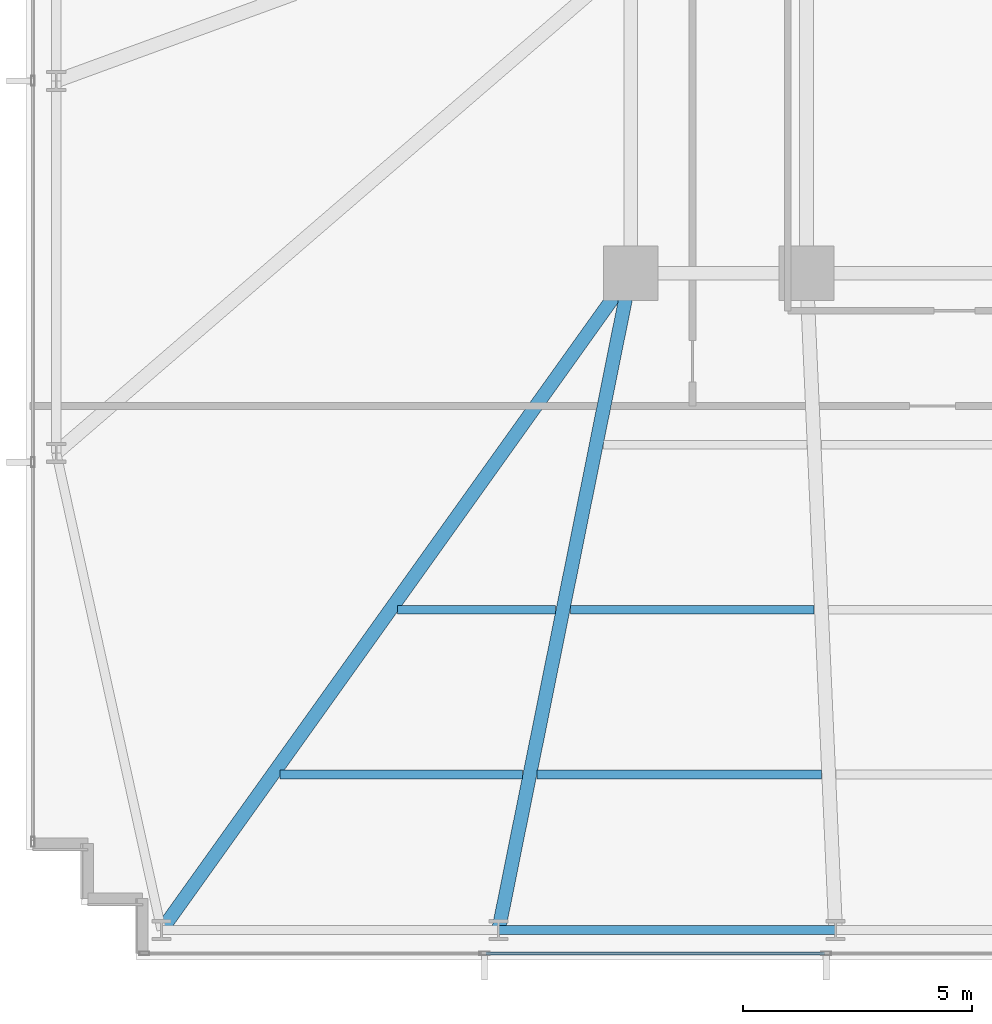
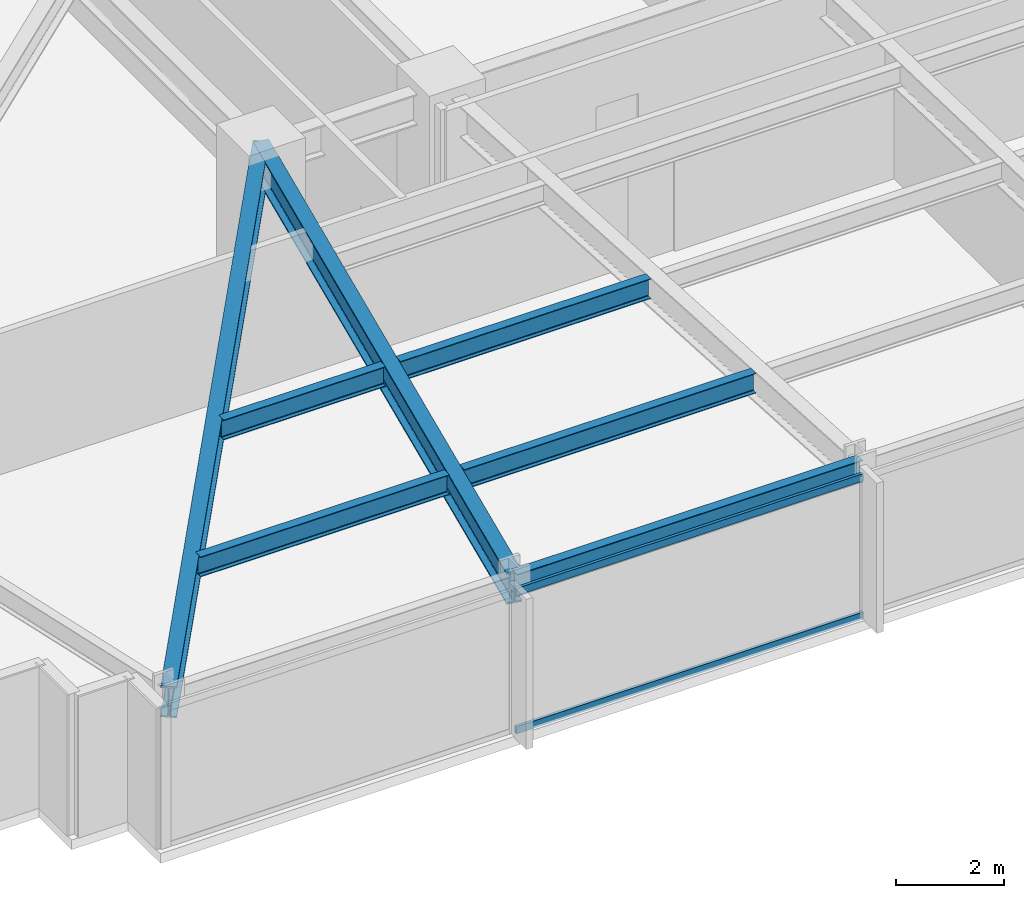
# One storey, part 3 of 32: 7 beams, 2 members, 1 element without a shape of its own.
"""IFC4 building model written with IfcOpenShell, lengths in metres."""

from ifc_helpers import new_model, si_unit, direction, frame, origin, origin_2d, place, context, subcontext, project, spatial, hollow_rectangle, i_section, extrude, material, material_profile, profile_set, type_object, element, aggregate, save


model = new_model("IFC4")

# Units and contexts
model_context = context("Model", 3, precision=1e-05, world=origin(), true_north=direction((0.0, 1.0)))
body_context = subcontext(model_context, "Body", "Model", "MODEL_VIEW")
ifc_project = project(units=[si_unit("LENGTHUNIT", "METRE"), si_unit("AREAUNIT", "SQUARE_METRE"), si_unit("VOLUMEUNIT", "CUBIC_METRE"), si_unit("PLANEANGLEUNIT", "RADIAN"), si_unit("MASSUNIT", "GRAM", prefix="KILO")], contexts=[model_context])

# Site, building, storey
site_placement = place(None, origin())
site = spatial("IfcSite", under=ifc_project, at=site_placement, CompositionType="ELEMENT")
building_placement = place(site_placement, origin())
building = spatial("IfcBuilding", under=site, at=building_placement, Name="Yelkora Congress Tower", CompositionType="ELEMENT")
storey_placement = place(building_placement, frame((0.0, 0.0, 50.800048828125)))
storey = spatial("IfcBuildingStorey", under=building, at=storey_placement, Name="L12", CompositionType="ELEMENT", Elevation=50.800048828125)

# Beams
ifc_material_1 = material(Name="Steel S355J2", Category="steel")
ifc_material_profile_1 = material_profile(ifc_material_1, i_section(OverallWidth=0.300048828125, OverallDepth=0.699951171875, WebThickness=0.01708984375, FlangeThickness=0.031982421875, FilletRadius=0.027099609375, at=origin_2d()), Name="HEB 700")
ifc_profile_set_1 = profile_set([ifc_material_profile_1], Name="Steel S355J2")
beam_type_1 = type_object("IfcBeamType", Name="BM-GIRD-HEB700", PredefinedType="BEAM", material=ifc_profile_set_1)
beam_1_placement = place(storey_placement, frame((8.949951171875, 10.85009765625, 2.829833984375), z_axis=(0.581242122521, 0.813730664906, 0.0), x_axis=(-0.813730664906, 0.581242122521, 0.0)))
element("IfcBeam", 1, at=beam_1_placement, inside=storey, type_object=beam_type_1, Name="L12 Primary Frame Girder S01", PredefinedType="BEAM", context=body_context, shape_type="SweptSolid", body=[
    extrude(i_section(OverallWidth=0.300048828125, OverallDepth=0.699951171875, WebThickness=0.01708984375, FlangeThickness=0.031982421875, FilletRadius=0.027099609375, at=origin_2d()), origin(), (0.0, 0.0, 1.0), 17.634765625),
])
beam_2_placement = place(storey_placement, frame((16.3125, 10.85009765625, 2.829833984375), z_axis=(0.197264295931, 0.980350344291, 0.0), x_axis=(-0.980350344291, 0.197264295931, 0.0)))
element("IfcBeam", 2, at=beam_2_placement, inside=storey, type_object=beam_type_1, Name="L12 Primary Frame Girder S02", PredefinedType="BEAM", context=body_context, shape_type="SweptSolid", body=[
    extrude(i_section(OverallWidth=0.300048828125, OverallDepth=0.699951171875, WebThickness=0.01708984375, FlangeThickness=0.031982421875, FilletRadius=0.027099609375, at=origin_2d()), origin(), (0.0, 0.0, 1.0), 14.637451171875),
])
ifc_material_profile_2 = material_profile(ifc_material_1, i_section(OverallWidth=0.18994140625, OverallDepth=0.449951171875, WebThickness=0.009521484375, FlangeThickness=0.0146484375, FilletRadius=0.02099609375, at=origin_2d()), Name="IPE 450")
ifc_profile_set_2 = profile_set([ifc_material_profile_2], Name="Steel S355J2")
beam_type_2 = type_object("IfcBeamType", Name="BM-JOIST-IPE450", PredefinedType="JOIST", material=ifc_profile_set_2)
beam_3_placement = place(storey_placement, frame((11.53857421875, 14.25, 2.954833984375), z_axis=(1.0, 0.0, 0.0), x_axis=(0.0, 1.0, 0.0)))
element("IfcBeam", 3, at=beam_3_placement, inside=storey, type_object=beam_type_2, Name="L12 Composite Floor Joist 1", PredefinedType="JOIST", context=body_context, shape_type="SweptSolid", body=[
    extrude(i_section(OverallWidth=0.18994140625, OverallDepth=0.449951171875, WebThickness=0.009521484375, FlangeThickness=0.0146484375, FilletRadius=0.02099609375, at=origin_2d()), origin(), (0.0, 0.0, 1.0), 5.298095703125),
])
beam_4_placement = place(storey_placement, frame((17.156494140625, 14.25, 2.954833984375), z_axis=(1.0, 0.0, 0.0), x_axis=(0.0, 1.0, 0.0)))
element("IfcBeam", 4, at=beam_4_placement, inside=storey, type_object=beam_type_2, Name="L12 Composite Floor Joist 2", PredefinedType="JOIST", context=body_context, shape_type="SweptSolid", body=[
    extrude(i_section(OverallWidth=0.18994140625, OverallDepth=0.449951171875, WebThickness=0.009521484375, FlangeThickness=0.0146484375, FilletRadius=0.02099609375, at=origin_2d()), origin(), (0.0, 0.0, 1.0), 6.2080078125),
])
beam_5_placement = place(storey_placement, frame((14.110107421875, 17.85009765625, 2.954833984375), z_axis=(1.0, 0.0, 0.0), x_axis=(0.0, 1.0, 0.0)))
element("IfcBeam", 5, at=beam_5_placement, inside=storey, type_object=beam_type_2, Name="L12 Composite Floor Joist 9", PredefinedType="JOIST", context=body_context, shape_type="SweptSolid", body=[
    extrude(i_section(OverallWidth=0.18994140625, OverallDepth=0.449951171875, WebThickness=0.009521484375, FlangeThickness=0.0146484375, FilletRadius=0.02099609375, at=origin_2d()), origin(), (0.0, 0.0, 1.0), 3.450927734375),
])
beam_6_placement = place(storey_placement, frame((17.881103515625, 17.85009765625, 2.954833984375), z_axis=(1.0, 0.0, 0.0), x_axis=(0.0, 1.0, 0.0)))
element("IfcBeam", 6, at=beam_6_placement, inside=storey, type_object=beam_type_2, Name="L12 Composite Floor Joist 10", PredefinedType="JOIST", context=body_context, shape_type="SweptSolid", body=[
    extrude(i_section(OverallWidth=0.18994140625, OverallDepth=0.449951171875, WebThickness=0.009521484375, FlangeThickness=0.0146484375, FilletRadius=0.02099609375, at=origin_2d()), origin(), (0.0, 0.0, 1.0), 5.323974609375),
])
ifc_material_profile_3 = material_profile(ifc_material_1, i_section(OverallWidth=0.199951171875, OverallDepth=0.5, WebThickness=0.01025390625, FlangeThickness=0.01611328125, FilletRadius=0.02099609375, at=origin_2d()), Name="IPE 500")
ifc_profile_set_3 = profile_set([ifc_material_profile_3], Name="Steel S355J2")
beam_type_3 = type_object("IfcBeamType", Name="BM-SPAN-IPE500", PredefinedType="SPANDREL", material=ifc_profile_set_3)
beam_7_placement = place(storey_placement, frame((16.3125, 10.85009765625, 2.929931640625), z_axis=(1.0, 0.0, 0.0), x_axis=(0.0, 1.0, 0.0)))
element("IfcBeam", 7, at=beam_7_placement, inside=storey, type_object=beam_type_3, Name="L12 Perimeter Beam 3", PredefinedType="SPANDREL", context=body_context, shape_type="SweptSolid", body=[
    extrude(i_section(OverallWidth=0.199951171875, OverallDepth=0.5, WebThickness=0.01025390625, FlangeThickness=0.01611328125, FilletRadius=0.02099609375, at=origin_2d()), origin(), (0.0, 0.0, 1.0), 7.362548828125),
])

# Curtain wall, members
ifc_material_2 = material(Name="Anodised aluminium and insulated glass", Category="aluminium")
curtain_wall_type = type_object("IfcCurtainWallType", Name="CW-SYS-B1", PredefinedType="NOTDEFINED", material=ifc_material_2)
curtain_wall_placement = place(storey_placement, origin())
curtain_wall = element("IfcCurtainWall", 8, at=curtain_wall_placement, inside=storey, type_object=curtain_wall_type, Name="L12 Unitised Curtain Wall 20", PredefinedType="NOTDEFINED")
ifc_material_3 = material(Name="Anodised aluminium 6063-T6", Category="aluminium")
ifc_material_profile_4 = material_profile(ifc_material_3, hollow_rectangle(XDim=0.06494140625, YDim=0.159912109375, WallThickness=0.00390625, at=origin_2d()), Name="ALU 65x160x4")
ifc_profile_set_4 = profile_set([ifc_material_profile_4], Name="Anodised aluminium 6063-T6")
member_type = type_object("IfcMemberType", Name="MEM-TR-B1", PredefinedType="USERDEFINED", material=ifc_profile_set_4)
member_1_placement = place(storey_placement, frame((23.4326171875, 10.340087890625, 0.032470703125), z_axis=(-1.0, 0.0, 0.0), x_axis=(0.0, -1.0, 0.0)))
member_1 = element("IfcMember", 9, at=member_1_placement, type_object=member_type, Name="CW-B1 transom 7.1", ObjectType="TRANSOM", PredefinedType="USERDEFINED", context=body_context, shape_type="SweptSolid", body=[
    extrude(hollow_rectangle(XDim=0.06494140625, YDim=0.159912109375, WallThickness=0.00390625, at=origin_2d()), origin(), (0.0, 0.0, 1.0), 7.39013671875),
])
member_2_placement = place(storey_placement, frame((23.4326171875, 10.340087890625, 3.1474609375), z_axis=(-1.0, 0.0, 0.0), x_axis=(0.0, -1.0, 0.0)))
member_2 = element("IfcMember", 10, at=member_2_placement, type_object=member_type, Name="CW-B1 transom 7.2", ObjectType="TRANSOM", PredefinedType="USERDEFINED", context=body_context, shape_type="SweptSolid", body=[
    extrude(hollow_rectangle(XDim=0.06494140625, YDim=0.159912109375, WallThickness=0.00390625, at=origin_2d()), origin(), (0.0, 0.0, 1.0), 7.39013671875),
])
aggregate(curtain_wall, [member_1, member_2])

save(model, "model.ifc")
